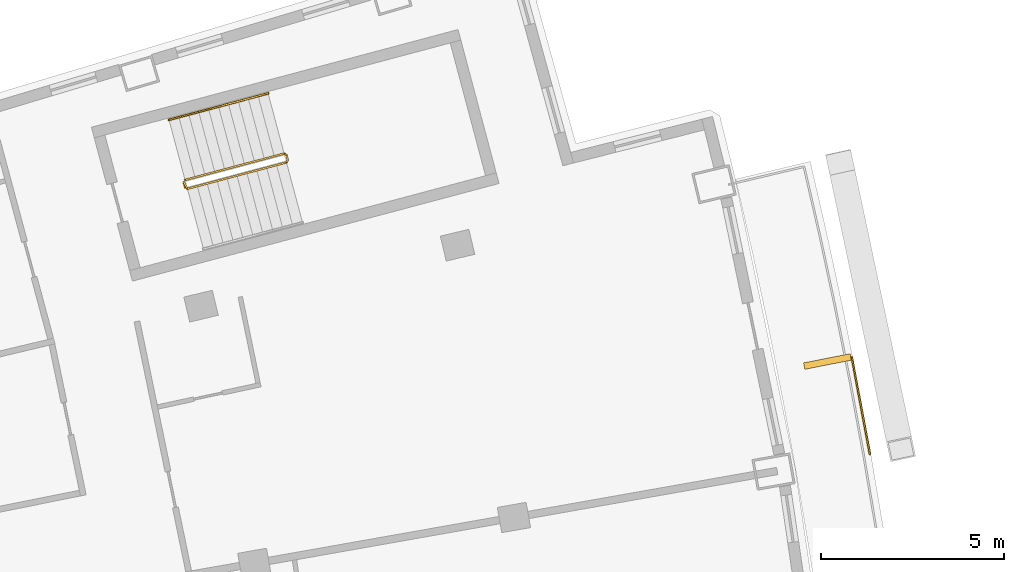
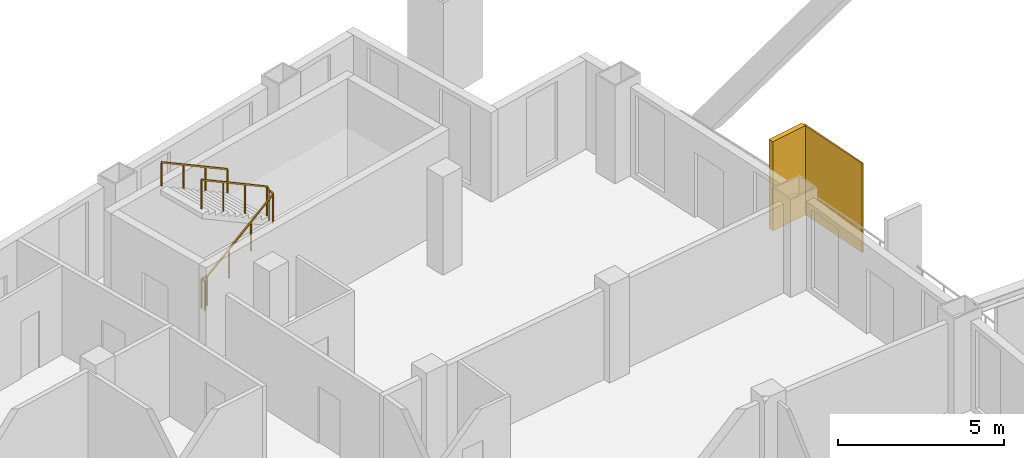
# One storey, part 19 of 19: 2 railings, 2 shading devices.
"""IFC4 building model written with IfcOpenShell, lengths in metres."""

from ifc_helpers import new_model, si_unit, direction, frame, origin, origin_2d, place, context, subcontext, project, spatial, rectangle, extrude, material, layer, layer_set, type_object, element, save


model = new_model("IFC4")

# Units and contexts
model_context = context("Model", 3, precision=1e-05, world=origin(), true_north=direction((0.0, 1.0)))
body_context = subcontext(model_context, "Body", "Model", "MODEL_VIEW")
ifc_project = project(units=[si_unit("LENGTHUNIT", "METRE"), si_unit("AREAUNIT", "SQUARE_METRE"), si_unit("VOLUMEUNIT", "CUBIC_METRE"), si_unit("PLANEANGLEUNIT", "RADIAN"), si_unit("MASSUNIT", "GRAM", prefix="KILO")], contexts=[model_context])

# Site, building, storey
site_placement = place(None, origin())
site = spatial("IfcSite", under=ifc_project, at=site_placement, CompositionType="ELEMENT")
building_placement = place(site_placement, origin())
building = spatial("IfcBuilding", under=site, at=building_placement, Name="Alderwake Tower", CompositionType="ELEMENT")
storey_placement = place(building_placement, frame((0.0, 0.0, 221.60009765625)))
storey = spatial("IfcBuildingStorey", under=building, at=storey_placement, Name="L55", CompositionType="ELEMENT", Elevation=221.60009765625)

# Shading devices
ifc_material_1 = material(Name="Bronze anodised aluminium", Category="aluminium")
ifc_layer_1 = layer(ifc_material_1, 0.179931640625)
ifc_layer_set_1 = layer_set([ifc_layer_1], Name="Facade fin 1300")
shading_device_type_1 = type_object("IfcShadingDeviceType", Name="Facade fin 1300", PredefinedType="USERDEFINED", material=ifc_layer_set_1)
shading_device_1_placement = place(storey_placement, frame((56.774169921875, 87.928955078125, 0.0), z_axis=(0.0, 0.0, 1.0), x_axis=(0.981163751315, 0.193177879441, 0.0)))
element("IfcShadingDevice", 1, at=shading_device_1_placement, inside=storey, type_object=shading_device_type_1, Name="Fin", ObjectType="FIN", PredefinedType="USERDEFINED", context=body_context, shape_type="SweptSolid", body=[
    extrude(rectangle(XDim=1.300048828125, YDim=0.179931640625, at=origin_2d()), origin(), (0.0, 0.0, 1.0), 3.280029296875),
])
ifc_material_2 = material(Name="Perforated bronze anodised aluminium", Category="aluminium")
ifc_layer_2 = layer(ifc_material_2, 0.050048828125)
ifc_layer_set_2 = layer_set([ifc_layer_2], Name="Perforated screen panel")
shading_device_type_2 = type_object("IfcShadingDeviceType", Name="Perforated screen panel", PredefinedType="USERDEFINED", material=ifc_layer_set_2)
shading_device_2_placement = place(storey_placement, frame((57.68603515625, 86.723876953125, 0.0), z_axis=(0.0, 0.0, 1.0), x_axis=(0.982991488043, 0.183651121519, 0.0)))
element("IfcShadingDevice", 2, at=shading_device_2_placement, inside=storey, type_object=shading_device_type_2, Name="Screen panel", ObjectType="SCREEN", PredefinedType="USERDEFINED", context=body_context, shape_type="SweptSolid", body=[
    extrude(rectangle(XDim=0.050048828125, YDim=2.71728515625, at=origin_2d()), origin(), (0.0, 0.0, 1.0), 3.280029296875),
])

# Railings
ifc_material_3 = material(Name="Stainless steel guard", Category="steel")
railing_type_1 = type_object("IfcRailingType", Name="Stair guard 1100", PredefinedType="GUARDRAIL", material=ifc_material_3)
railing_1_placement = place(storey_placement, frame((39.23291015625, 92.6806640625, 0.0)))
element("IfcRailing", 3, at=railing_1_placement, inside=storey, type_object=railing_type_1, Name="L55 ST-A stair guard 1", PredefinedType="GUARDRAIL", context=body_context, shape_type="SweptSolid", body=[
    extrude(rectangle(XDim=0.048095703125, YDim=0.048095703125, at=origin_2d()), frame((0.0, 0.0, 1.076171875), z_axis=(-0.257055032184, 0.966396766566, 0.0), x_axis=(-0.966396766566, -0.257055032184, 0.0)), (0.0, 0.0, 1.0), 0.150146484375),
    extrude(rectangle(XDim=0.048095703125, YDim=0.048095703125, at=origin_2d()), frame((-0.03857421875, 0.14501953125, 1.076171875), z_axis=(0.379370725808, -0.685464465458, 0.621463047167), x_axis=(0.874937996095, 0.484234966715, 0.0)), (0.0, 0.0, 1.0), 0.26318359375),
    extrude(rectangle(XDim=0.048095703125, YDim=0.048095703125, at=origin_2d()), frame((0.061279296875, -0.035400390625, 1.23974609375), z_axis=(0.834290631165, 0.222236594766, 0.504549342183), x_axis=(-0.257402139082, 0.966304371715, 0.0)), (0.0, 0.0, 1.0), 3.242919921875),
    extrude(rectangle(XDim=0.048095703125, YDim=0.048095703125, at=origin_2d()), frame((2.766845703125, 0.685302734375, 2.8759765625), z_axis=(0.500220121494, 0.865898279276, 0.0), x_axis=(-0.865898279276, 0.500220121494, 0.0)), (0.0, 0.0, 1.0), 0.07080078125),
    extrude(rectangle(XDim=0.048095703125, YDim=0.048095703125, at=origin_2d()), frame((2.80224609375, 0.74658203125, 2.8759765625), z_axis=(-0.257459803502, 0.966289009345, 0.0), x_axis=(-0.966289009345, -0.257459803502, 0.0)), (0.0, 0.0, 1.0), 0.14990234375),
    extrude(rectangle(XDim=0.048095703125, YDim=0.048095703125, at=origin_2d()), frame((2.763671875, 0.891357421875, 2.8759765625), z_axis=(-0.34209458732, 0.199783238995, 0.918181872367), x_axis=(-0.504300490226, -0.863528236688, 0.0)), (0.0, 0.0, 1.0), 0.178466796875),
    extrude(rectangle(XDim=0.048095703125, YDim=0.048095703125, at=origin_2d()), frame((2.70263671875, 0.927001953125, 3.03955078125), z_axis=(-0.834313512087, -0.222222637163, 0.504517653885), x_axis=(0.257380452725, -0.966310148221, 0.0)), (0.0, 0.0, 1.0), 3.2431640625),
    extrude(rectangle(XDim=0.0419921875, YDim=0.0419921875, at=origin_2d()), frame((0.0, 0.0, 0.0), z_axis=(0.0, 0.0, 1.0), x_axis=(-0.257055032184, 0.966396766566, 0.0)), (0.0, 0.0, 1.0), 1.052001953125),
    extrude(rectangle(XDim=0.0419921875, YDim=0.0419921875, at=origin_2d()), frame((-0.03857421875, 0.14501953125, 0.0), z_axis=(0.0, 0.0, 1.0), x_axis=(0.484234966715, -0.874937996095, 0.0)), (0.0, 0.0, 1.0), 1.052001953125),
    extrude(rectangle(XDim=0.0419921875, YDim=0.0419921875, at=origin_2d()), frame((0.061279296875, -0.035400390625, 0.16357421875), z_axis=(0.0, 0.0, 1.0), x_axis=(0.966304371715, 0.257402139082, 0.0)), (0.0, 0.0, 1.0), 1.052001953125),
    extrude(rectangle(XDim=0.0419921875, YDim=0.0419921875, at=origin_2d()), frame((0.963134765625, 0.204833984375, 0.708984375), z_axis=(0.0, 0.0, 1.0), x_axis=(0.966304371715, 0.257402139082, 0.0)), (0.0, 0.0, 1.0), 1.052001953125),
    extrude(rectangle(XDim=0.0419921875, YDim=0.0419921875, at=origin_2d()), frame((1.864990234375, 0.445068359375, 1.25439453125), z_axis=(0.0, 0.0, 1.0), x_axis=(0.966304371715, 0.257402139082, 0.0)), (0.0, 0.0, 1.0), 1.052001953125),
    extrude(rectangle(XDim=0.0419921875, YDim=0.0419921875, at=origin_2d()), frame((2.766845703125, 0.685302734375, 1.7998046875), z_axis=(0.0, 0.0, 1.0), x_axis=(0.500220121494, 0.865898279276, 0.0)), (0.0, 0.0, 1.0), 1.052001953125),
    extrude(rectangle(XDim=0.0419921875, YDim=0.0419921875, at=origin_2d()), frame((2.80224609375, 0.74658203125, 1.7998046875), z_axis=(0.0, 0.0, 1.0), x_axis=(-0.257459803502, 0.966289009345, 0.0)), (0.0, 0.0, 1.0), 1.052001953125),
    extrude(rectangle(XDim=0.0419921875, YDim=0.0419921875, at=origin_2d()), frame((2.763671875, 0.891357421875, 1.7998046875), z_axis=(0.0, 0.0, 1.0), x_axis=(-0.863528236688, 0.504300490226, 0.0)), (0.0, 0.0, 1.0), 1.052001953125),
    extrude(rectangle(XDim=0.0419921875, YDim=0.0419921875, at=origin_2d()), frame((2.70263671875, 0.927001953125, 1.963623046875), z_axis=(0.0, 0.0, 1.0), x_axis=(-0.966310148221, -0.257380452725, 0.0)), (0.0, 0.0, 1.0), 1.052001953125),
    extrude(rectangle(XDim=0.0419921875, YDim=0.0419921875, at=origin_2d()), frame((1.80078125, 0.686767578125, 2.509033203125), z_axis=(0.0, 0.0, 1.0), x_axis=(-0.966310148221, -0.257380452725, 0.0)), (0.0, 0.0, 1.0), 1.052001953125),
    extrude(rectangle(XDim=0.0419921875, YDim=0.0419921875, at=origin_2d()), frame((0.898681640625, 0.446533203125, 3.054443359375), z_axis=(0.0, 0.0, 1.0), x_axis=(-0.966310148221, -0.257380452725, 0.0)), (0.0, 0.0, 1.0), 1.052001953125),
    extrude(rectangle(XDim=0.0419921875, YDim=0.0419921875, at=origin_2d()), frame((-0.003173828125, 0.206298828125, 3.599853515625), z_axis=(0.0, 0.0, 1.0), x_axis=(-0.966310148221, -0.257380452725, 0.0)), (0.0, 0.0, 1.0), 1.052001953125),
])
ifc_material_4 = material(Name="Stainless steel handrail", Category="steel")
railing_type_2 = type_object("IfcRailingType", Name="Stair handrail 900", PredefinedType="HANDRAIL", material=ifc_material_4)
railing_2_placement = place(storey_placement, frame((41.497802734375, 95.250244140625, 1.963623046875)))
element("IfcRailing", 4, at=railing_2_placement, inside=storey, type_object=railing_type_2, Name="L55 ST-A stair handrail 2", PredefinedType="HANDRAIL", context=body_context, shape_type="SweptSolid", body=[
    extrude(rectangle(XDim=0.048095703125, YDim=0.048095703125, at=origin_2d()), frame((0.0, 0.0, 0.8759765625), z_axis=(-0.834290631165, -0.222236594766, 0.504549342183), x_axis=(0.257402139082, -0.966304371715, 0.0)), (0.0, 0.0, 1.0), 3.242919921875),
    extrude(rectangle(XDim=0.0419921875, YDim=0.0419921875, at=origin_2d()), frame((0.0, 0.0, 0.0), z_axis=(0.0, 0.0, 1.0), x_axis=(-0.966304371715, -0.257402139082, 0.0)), (0.0, 0.0, 1.0), 0.851806640625),
    extrude(rectangle(XDim=0.0419921875, YDim=0.0419921875, at=origin_2d()), frame((-0.90185546875, -0.240234375, 0.54541015625), z_axis=(0.0, 0.0, 1.0), x_axis=(-0.966304371715, -0.257402139082, 0.0)), (0.0, 0.0, 1.0), 0.851806640625),
    extrude(rectangle(XDim=0.0419921875, YDim=0.0419921875, at=origin_2d()), frame((-1.8037109375, -0.48046875, 1.0908203125), z_axis=(0.0, 0.0, 1.0), x_axis=(-0.966304371715, -0.257402139082, 0.0)), (0.0, 0.0, 1.0), 0.851806640625),
    extrude(rectangle(XDim=0.0419921875, YDim=0.0419921875, at=origin_2d()), frame((-2.70556640625, -0.720703125, 1.63623046875), z_axis=(0.0, 0.0, 1.0), x_axis=(-0.966304371715, -0.257402139082, 0.0)), (0.0, 0.0, 1.0), 0.851806640625),
])

save(model, "model.ifc")
